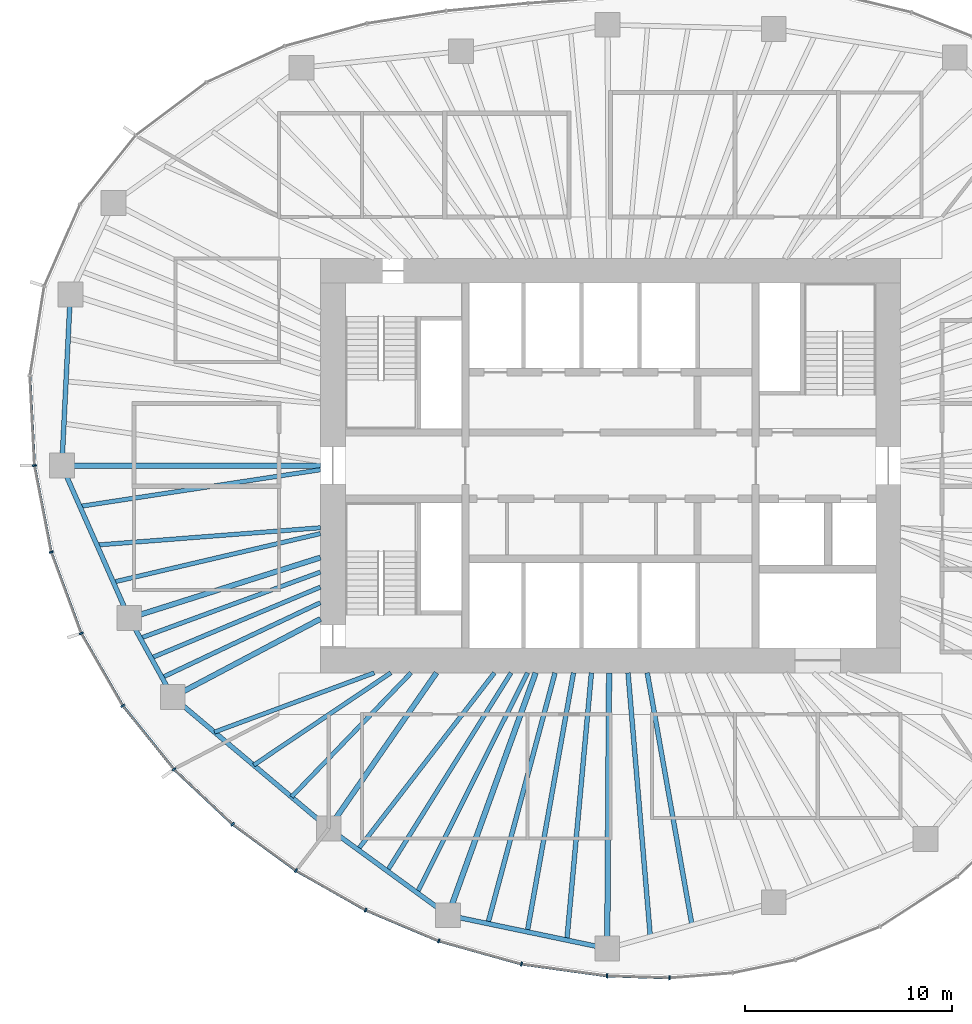
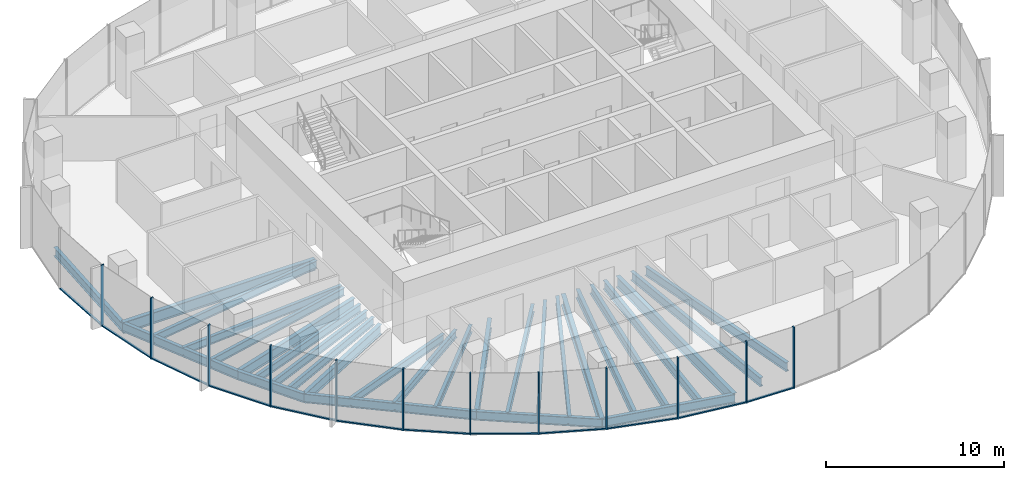
# One storey, part 2 of 12: 29 beams, 24 members, 7 elements without a shape of their own.
"""IFC4 building model written with IfcOpenShell, lengths in metres."""

from ifc_helpers import new_model, si_unit, direction, frame, origin, origin_2d, place, context, subcontext, project, spatial, rectangle, i_section, extrude, material, material_profile, profile_set, type_object, element, aggregate, save


model = new_model("IFC4")

# Units and contexts
model_context = context("Model", 3, precision=1e-05, world=origin(), true_north=direction((0.0, 1.0)))
body_context = subcontext(model_context, "Body", "Model", "MODEL_VIEW")
ifc_project = project(units=[si_unit("LENGTHUNIT", "METRE"), si_unit("AREAUNIT", "SQUARE_METRE"), si_unit("VOLUMEUNIT", "CUBIC_METRE"), si_unit("PLANEANGLEUNIT", "RADIAN"), si_unit("MASSUNIT", "GRAM", prefix="KILO")], contexts=[model_context])

# Site, building, storey
site_placement = place(None, origin())
site = spatial("IfcSite", under=ifc_project, at=site_placement, CompositionType="ELEMENT")
building_placement = place(site_placement, origin())
building = spatial("IfcBuilding", under=site, at=building_placement, Name="Ghaith Harvest Tower", CompositionType="ELEMENT")
storey_placement = place(building_placement, frame((0.0, 0.0, 236.800048828125)))
storey = spatial("IfcBuildingStorey", under=building, at=storey_placement, Name="L52", CompositionType="ELEMENT", Elevation=236.800048828125)

# Curtain wall, members
ifc_material_1 = material(Name="Black anodised aluminium and fritted glass", Category="aluminium")
curtain_wall_type = type_object("IfcCurtainWallType", Name="CW-H CURTAIN WALL", PredefinedType="NOTDEFINED", material=ifc_material_1)
curtain_wall_1_placement = place(storey_placement, origin())
curtain_wall_1 = element("IfcCurtainWall", 1, at=curtain_wall_1_placement, inside=storey, type_object=curtain_wall_type, Name="Curtain wall CW-H bay 11 L52", PredefinedType="NOTDEFINED")
ifc_material_2 = material(Name="Aluminium, black anodised", Category="aluminium")
ifc_material_profile_1 = material_profile(ifc_material_2, rectangle(XDim=0.080078125, YDim=0.199951171875, at=origin_2d()), Name="CW-H MULLION 80x200")
ifc_profile_set_1 = profile_set([ifc_material_profile_1], Name="Aluminium, black anodised")
member_type_1 = type_object("IfcMemberType", Name="CW-H MULLION 80x200", PredefinedType="MULLION", material=ifc_profile_set_1)
member_1_placement = place(storey_placement, frame((-27.794921875, 0.0, 0.0), z_axis=(0.0, 0.0, 1.0), x_axis=(0.12024996575, -0.992743645528, 0.0)))
member_1 = element("IfcMember", 2, at=member_1_placement, type_object=member_type_1, Name="CW-H mullion 1 bay 11 L52", PredefinedType="MULLION", context=body_context, shape_type="SweptSolid", body=[
    extrude(rectangle(XDim=0.080078125, YDim=0.199951171875, at=origin_2d()), origin(), (0.0, 0.0, 1.0), 4.199951171875),
])
member_2_placement = place(storey_placement, frame((-26.9853515625, -4.173828125, 0.0), z_axis=(0.0, 0.0, 1.0), x_axis=(0.268568830903, -0.963260495955, 0.0)))
member_2 = element("IfcMember", 3, at=member_2_placement, type_object=member_type_1, Name="CW-H mullion 2 bay 11 L52", PredefinedType="MULLION", context=body_context, shape_type="SweptSolid", body=[
    extrude(rectangle(XDim=0.080078125, YDim=0.199951171875, at=origin_2d()), origin(), (0.0, 0.0, 1.0), 4.199951171875),
])

curtain_wall_2_placement = place(storey_placement, origin())
curtain_wall_2 = element("IfcCurtainWall", 4, at=curtain_wall_2_placement, inside=storey, type_object=curtain_wall_type, Name="Curtain wall CW-H bay 12 L52", PredefinedType="NOTDEFINED")
member_3_placement = place(storey_placement, frame((-25.538330078125, -8.093505859375, 0.0), z_axis=(0.0, 0.0, 1.0), x_axis=(0.422308650185, -0.906452096903, 0.0)))
member_3 = element("IfcMember", 5, at=member_3_placement, type_object=member_type_1, Name="CW-H mullion 1 bay 12 L52", PredefinedType="MULLION", context=body_context, shape_type="SweptSolid", body=[
    extrude(rectangle(XDim=0.080078125, YDim=0.199951171875, at=origin_2d()), origin(), (0.0, 0.0, 1.0), 4.199951171875),
])
member_4_placement = place(storey_placement, frame((-23.533203125, -11.58349609375, 0.0), z_axis=(0.0, 0.0, 1.0), x_axis=(0.563616546013, -0.826036554312, 0.0)))
member_4 = element("IfcMember", 6, at=member_4_placement, type_object=member_type_1, Name="CW-H mullion 2 bay 12 L52", PredefinedType="MULLION", context=body_context, shape_type="SweptSolid", body=[
    extrude(rectangle(XDim=0.080078125, YDim=0.199951171875, at=origin_2d()), origin(), (0.0, 0.0, 1.0), 4.199951171875),
])

curtain_wall_3_placement = place(storey_placement, origin())
curtain_wall_3 = element("IfcCurtainWall", 7, at=curtain_wall_3_placement, inside=storey, type_object=curtain_wall_type, Name="Curtain wall CW-H bay 13 L52", PredefinedType="NOTDEFINED")
member_5_placement = place(storey_placement, frame((-21.0615234375, -14.65478515625, 0.0), z_axis=(0.0, 0.0, 1.0), x_axis=(0.679181589754, -0.733970277422, 0.0)))
member_5 = element("IfcMember", 8, at=member_5_placement, type_object=member_type_1, Name="CW-H mullion 1 bay 13 L52", PredefinedType="MULLION", context=body_context, shape_type="SweptSolid", body=[
    extrude(rectangle(XDim=0.080078125, YDim=0.199951171875, at=origin_2d()), origin(), (0.0, 0.0, 1.0), 4.199951171875),
])
member_6_placement = place(storey_placement, frame((-18.238037109375, -17.30615234375, 0.0), z_axis=(0.0, 0.0, 1.0), x_axis=(0.769216709506, -0.638987991919, 0.0)))
member_6 = element("IfcMember", 9, at=member_6_placement, type_object=member_type_1, Name="CW-H mullion 2 bay 13 L52", PredefinedType="MULLION", context=body_context, shape_type="SweptSolid", body=[
    extrude(rectangle(XDim=0.080078125, YDim=0.199951171875, at=origin_2d()), origin(), (0.0, 0.0, 1.0), 4.199951171875),
])

curtain_wall_4_placement = place(storey_placement, origin())
curtain_wall_4 = element("IfcCurtainWall", 10, at=curtain_wall_4_placement, inside=storey, type_object=curtain_wall_type, Name="Curtain wall CW-H bay 14 L52", PredefinedType="NOTDEFINED")
member_7_placement = place(storey_placement, frame((-15.177490234375, -19.542724609375, 0.0), z_axis=(0.0, 0.0, 1.0), x_axis=(0.840233591157, -0.5422245958, 0.0)))
member_7 = element("IfcMember", 11, at=member_7_placement, type_object=member_type_1, Name="CW-H mullion 1 bay 14 L52", PredefinedType="MULLION", context=body_context, shape_type="SweptSolid", body=[
    extrude(rectangle(XDim=0.080078125, YDim=0.199951171875, at=origin_2d()), origin(), (0.0, 0.0, 1.0), 4.199951171875),
])
member_8_placement = place(storey_placement, frame((-11.815185546875, -21.45068359375, 0.0), z_axis=(0.0, 0.0, 1.0), x_axis=(0.896852966189, -0.442328788389, 0.0)))
member_8 = element("IfcMember", 12, at=member_8_placement, type_object=member_type_1, Name="CW-H mullion 2 bay 14 L52", PredefinedType="MULLION", context=body_context, shape_type="SweptSolid", body=[
    extrude(rectangle(XDim=0.080078125, YDim=0.199951171875, at=origin_2d()), origin(), (0.0, 0.0, 1.0), 4.199951171875),
])

curtain_wall_5_placement = place(storey_placement, origin())
curtain_wall_5 = element("IfcCurtainWall", 13, at=curtain_wall_5_placement, inside=storey, type_object=curtain_wall_type, Name="Curtain wall CW-H bay 15 L52", PredefinedType="NOTDEFINED")
member_9_placement = place(storey_placement, frame((-8.285888671875, -22.941650390625, 0.0), z_axis=(0.0, 0.0, 1.0), x_axis=(0.944906041636, -0.327341675439, 0.0)))
member_9 = element("IfcMember", 14, at=member_9_placement, type_object=member_type_1, Name="CW-H mullion 1 bay 15 L52", PredefinedType="MULLION", context=body_context, shape_type="SweptSolid", body=[
    extrude(rectangle(XDim=0.080078125, YDim=0.199951171875, at=origin_2d()), origin(), (0.0, 0.0, 1.0), 4.199951171875),
])
member_10_placement = place(storey_placement, frame((-4.2958984375, -24.0556640625, 0.0), z_axis=(0.0, 0.0, 1.0), x_axis=(0.979161388311, -0.203083666601, 0.0)))
member_10 = element("IfcMember", 15, at=member_10_placement, type_object=member_type_1, Name="CW-H mullion 2 bay 15 L52", PredefinedType="MULLION", context=body_context, shape_type="SweptSolid", body=[
    extrude(rectangle(XDim=0.080078125, YDim=0.199951171875, at=origin_2d()), origin(), (0.0, 0.0, 1.0), 4.199951171875),
])

curtain_wall_6_placement = place(storey_placement, origin())
curtain_wall_6 = element("IfcCurtainWall", 16, at=curtain_wall_6_placement, inside=storey, type_object=curtain_wall_type, Name="Curtain wall CW-H bay 16 L52", PredefinedType="NOTDEFINED")
member_11_placement = place(storey_placement, frame((-0.16845703125, -24.625244140625, 0.0), z_axis=(0.0, 0.0, 1.0), x_axis=(0.99568459113, -0.092801912617, 0.0)))
member_11 = element("IfcMember", 17, at=member_11_placement, type_object=member_type_1, Name="CW-H mullion 1 bay 16 L52", PredefinedType="MULLION", context=body_context, shape_type="SweptSolid", body=[
    extrude(rectangle(XDim=0.080078125, YDim=0.199951171875, at=origin_2d()), origin(), (0.0, 0.0, 1.0), 4.199951171875),
])
member_12_placement = place(storey_placement, frame((2.84765625, -24.721435546875, 0.0), z_axis=(0.0, 0.0, 1.0), x_axis=(0.999724413906, 0.02347543907, 0.0)))
member_12 = element("IfcMember", 18, at=member_12_placement, type_object=member_type_1, Name="CW-H mullion 2 bay 16 L52", PredefinedType="MULLION", context=body_context, shape_type="SweptSolid", body=[
    extrude(rectangle(XDim=0.080078125, YDim=0.199951171875, at=origin_2d()), origin(), (0.0, 0.0, 1.0), 4.199951171875),
])

# Curtain wall, member
curtain_wall_7_placement = place(storey_placement, origin())
curtain_wall_7 = element("IfcCurtainWall", 19, at=curtain_wall_7_placement, inside=storey, type_object=curtain_wall_type, Name="Curtain wall CW-H bay 10 L52", PredefinedType="NOTDEFINED")
ifc_material_3 = material(Name="Aluminium, black anodised", Category="aluminium")
ifc_material_profile_2 = material_profile(ifc_material_3, rectangle(XDim=0.1298828125, YDim=0.080078125, at=origin_2d()), Name="CW-H TRANSOM 130x80")
ifc_profile_set_2 = profile_set([ifc_material_profile_2], Name="Aluminium, black anodised")
member_type_2 = type_object("IfcMemberType", Name="CW-H TRANSOM 130x80", PredefinedType="USERDEFINED", material=ifc_profile_set_2)
member_13_placement = place(storey_placement, frame((-28.013671875, 4.293212890625, 0.0400390625), z_axis=(0.05084969311, -0.998706317548, 0.0), x_axis=(0.998706317548, 0.05084969311, 0.0)))
member_13 = element("IfcMember", 20, at=member_13_placement, type_object=member_type_2, Name="CW-H transom 2 bay 10 L52", ObjectType="TRANSOM", PredefinedType="USERDEFINED", context=body_context, shape_type="SweptSolid", body=[
    extrude(rectangle(XDim=0.1298828125, YDim=0.080078125, at=origin_2d()), origin(), (0.0, 0.0, 1.0), 4.2587890625),
])
aggregate(curtain_wall_7, [member_13])

# Member
member_14_placement = place(storey_placement, frame((-27.787353515625, -0.039306640625, 0.0400390625), z_axis=(0.190440428338, -0.981698753821, 0.0), x_axis=(0.981698753821, 0.190440428338, 0.0)))
member_14 = element("IfcMember", 21, at=member_14_placement, type_object=member_type_2, Name="CW-H transom 1 bay 11 L52", ObjectType="TRANSOM", PredefinedType="USERDEFINED", context=body_context, shape_type="SweptSolid", body=[
    extrude(rectangle(XDim=0.1298828125, YDim=0.080078125, at=origin_2d()), origin(), (0.0, 0.0, 1.0), 4.171630859375),
])

member_15_placement = place(storey_placement, frame((-26.971435546875, -4.21142578125, 0.0400390625), z_axis=(0.346287782987, -0.93812833416, 0.0), x_axis=(0.93812833416, 0.346287782987, 0.0)))
member_15 = element("IfcMember", 22, at=member_15_placement, type_object=member_type_2, Name="CW-H transom 2 bay 11 L52", ObjectType="TRANSOM", PredefinedType="USERDEFINED", context=body_context, shape_type="SweptSolid", body=[
    extrude(rectangle(XDim=0.1298828125, YDim=0.080078125, at=origin_2d()), origin(), (0.0, 0.0, 1.0), 4.098388671875),
])

aggregate(curtain_wall_1, [member_1, member_14, member_2, member_15])

member_16_placement = place(storey_placement, frame((-25.5185546875, -8.128173828125, 0.0400390625), z_axis=(0.498176929488, -0.86707539864, 0.0), x_axis=(0.86707539864, 0.498176929488, 0.0)))
member_16 = element("IfcMember", 23, at=member_16_placement, type_object=member_type_2, Name="CW-H transom 1 bay 12 L52", ObjectType="TRANSOM", PredefinedType="USERDEFINED", context=body_context, shape_type="SweptSolid", body=[
    extrude(rectangle(XDim=0.1298828125, YDim=0.080078125, at=origin_2d()), origin(), (0.0, 0.0, 1.0), 3.945068359375),
])

member_17_placement = place(storey_placement, frame((-23.508056640625, -11.61474609375, 0.0400390625), z_axis=(0.626958878139, -0.779052350694, 0.0), x_axis=(0.779052350694, 0.626958878139, 0.0)))
member_17 = element("IfcMember", 24, at=member_17_placement, type_object=member_type_2, Name="CW-H transom 2 bay 12 L52", ObjectType="TRANSOM", PredefinedType="USERDEFINED", context=body_context, shape_type="SweptSolid", body=[
    extrude(rectangle(XDim=0.1298828125, YDim=0.080078125, at=origin_2d()), origin(), (0.0, 0.0, 1.0), 3.862060546875),
])

aggregate(curtain_wall_2, [member_3, member_16, member_4, member_17])

member_18_placement = place(storey_placement, frame((-21.032470703125, -14.68212890625, 0.0400390625), z_axis=(0.729025183709, -0.684486874613, 0.0), x_axis=(0.684486874613, 0.729025183709, 0.0)))
member_18 = element("IfcMember", 25, at=member_18_placement, type_object=member_type_2, Name="CW-H transom 1 bay 13 L52", ObjectType="TRANSOM", PredefinedType="USERDEFINED", context=body_context, shape_type="SweptSolid", body=[
    extrude(rectangle(XDim=0.1298828125, YDim=0.080078125, at=origin_2d()), origin(), (0.0, 0.0, 1.0), 3.793212890625),
])

member_19_placement = place(storey_placement, frame((-18.20556640625, -17.32958984375, 0.0400390625), z_axis=(0.807368217185, -0.590047931849, 0.0), x_axis=(0.590047931849, 0.807368217185, 0.0)))
member_19 = element("IfcMember", 26, at=member_19_placement, type_object=member_type_2, Name="CW-H transom 2 bay 13 L52", ObjectType="TRANSOM", PredefinedType="USERDEFINED", context=body_context, shape_type="SweptSolid", body=[
    extrude(rectangle(XDim=0.1298828125, YDim=0.080078125, at=origin_2d()), origin(), (0.0, 0.0, 1.0), 3.710693359375),
])

aggregate(curtain_wall_3, [member_5, member_18, member_6, member_19])

member_20_placement = place(storey_placement, frame((-15.142822265625, -19.5625, 0.0400390625), z_axis=(0.869735291487, -0.493518513068, 0.0), x_axis=(0.493518513068, 0.869735291487, 0.0)))
member_20 = element("IfcMember", 27, at=member_20_placement, type_object=member_type_2, Name="CW-H transom 1 bay 14 L52", ObjectType="TRANSOM", PredefinedType="USERDEFINED", context=body_context, shape_type="SweptSolid", body=[
    extrude(rectangle(XDim=0.1298828125, YDim=0.080078125, at=origin_2d()), origin(), (0.0, 0.0, 1.0), 3.785888671875),
])

member_21_placement = place(storey_placement, frame((-11.7783203125, -21.46630859375, 0.0400390625), z_axis=(0.921182691948, -0.38913037411, 0.0), x_axis=(0.38913037411, 0.921182691948, 0.0)))
member_21 = element("IfcMember", 28, at=member_21_placement, type_object=member_type_2, Name="CW-H transom 2 bay 14 L52", ObjectType="TRANSOM", PredefinedType="USERDEFINED", context=body_context, shape_type="SweptSolid", body=[
    extrude(rectangle(XDim=0.1298828125, YDim=0.080078125, at=origin_2d()), origin(), (0.0, 0.0, 1.0), 3.751220703125),
])

aggregate(curtain_wall_4, [member_7, member_20, member_8, member_21])

member_22_placement = place(storey_placement, frame((-8.24755859375, -22.952392578125, 0.0400390625), z_axis=(0.963164092269, -0.268914356932, 0.0), x_axis=(0.268914356932, 0.963164092269, 0.0)))
member_22 = element("IfcMember", 29, at=member_22_placement, type_object=member_type_2, Name="CW-H transom 1 bay 15 L52", ObjectType="TRANSOM", PredefinedType="USERDEFINED", context=body_context, shape_type="SweptSolid", body=[
    extrude(rectangle(XDim=0.1298828125, YDim=0.080078125, at=origin_2d()), origin(), (0.0, 0.0, 1.0), 4.062744140625),
])

member_23_placement = place(storey_placement, frame((-4.25634765625, -24.06103515625, 0.0400390625), z_axis=(0.990605228149, -0.136752630555, 0.0), x_axis=(0.136752630555, 0.990605228149, 0.0)))
member_23 = element("IfcMember", 30, at=member_23_placement, type_object=member_type_2, Name="CW-H transom 2 bay 15 L52", ObjectType="TRANSOM", PredefinedType="USERDEFINED", context=body_context, shape_type="SweptSolid", body=[
    extrude(rectangle(XDim=0.1298828125, YDim=0.080078125, at=origin_2d()), origin(), (0.0, 0.0, 1.0), 4.08642578125),
])

aggregate(curtain_wall_5, [member_9, member_22, member_10, member_23])

member_24_placement = place(storey_placement, frame((-0.128662109375, -24.62646484375, 0.0400390625), z_axis=(0.999490770233, -0.031909249731, 0.0), x_axis=(0.031909249731, 0.999490770233, 0.0)))
member_24 = element("IfcMember", 31, at=member_24_placement, type_object=member_type_2, Name="CW-H transom 1 bay 16 L52", ObjectType="TRANSOM", PredefinedType="USERDEFINED", context=body_context, shape_type="SweptSolid", body=[
    extrude(rectangle(XDim=0.1298828125, YDim=0.080078125, at=origin_2d()), origin(), (0.0, 0.0, 1.0), 2.93798828125),
])

aggregate(curtain_wall_6, [member_11, member_24, member_12])

# Beams
ifc_material_4 = material(Name="Steel ASTM A992 Grade 50", Category="steel")
ifc_material_profile_3 = material_profile(ifc_material_4, i_section(OverallWidth=0.22900390625, OverallDepth=0.612060546875, WebThickness=0.011962890625, FlangeThickness=0.01953125, at=origin_2d()), Name="W610X125")
ifc_profile_set_3 = profile_set([ifc_material_profile_3], Name="Steel ASTM A992 Grade 50")
beam_type_1 = type_object("IfcBeamType", Name="E610-125 W610X125", PredefinedType="SPANDREL", material=ifc_profile_set_3)
beam_1_placement = place(storey_placement, frame((-26.06689453125, 8.260986328125, -0.47607421875), z_axis=(-0.049353148492, -0.998781390863, 0.0), x_axis=(0.998781390863, -0.049353148492, 0.0)))
element("IfcBeam", 32, at=beam_1_placement, inside=storey, type_object=beam_type_1, Name="Edge beam E10 L52", PredefinedType="SPANDREL", context=body_context, shape_type="SweptSolid", body=[
    extrude(i_section(OverallWidth=0.22900390625, OverallDepth=0.612060546875, WebThickness=0.011962890625, FlangeThickness=0.01953125, at=origin_2d()), origin(), (0.0, 0.0, 1.0), 8.27099609375),
])
beam_2_placement = place(storey_placement, frame((-26.47509765625, 0.0, -0.47607421875), z_axis=(0.404042817399, -0.914740073304, 0.0), x_axis=(0.914740073304, 0.404042817399, 0.0)))
element("IfcBeam", 33, at=beam_2_placement, inside=storey, type_object=beam_type_1, Name="Edge beam E11 L52", PredefinedType="SPANDREL", context=body_context, shape_type="SweptSolid", body=[
    extrude(i_section(OverallWidth=0.22900390625, OverallDepth=0.612060546875, WebThickness=0.011962890625, FlangeThickness=0.01953125, at=origin_2d()), origin(), (0.0, 0.0, 1.0), 8.046142578125),
])
beam_3_placement = place(storey_placement, frame((-23.22412109375, -7.360107421875, -0.47607421875), z_axis=(0.482955575345, -0.875644855089, 0.0), x_axis=(0.875644855089, 0.482955575345, 0.0)))
element("IfcBeam", 34, at=beam_3_placement, inside=storey, type_object=beam_type_1, Name="Edge beam E12 L52", PredefinedType="SPANDREL", context=body_context, shape_type="SweptSolid", body=[
    extrude(i_section(OverallWidth=0.22900390625, OverallDepth=0.612060546875, WebThickness=0.011962890625, FlangeThickness=0.01953125, at=origin_2d()), origin(), (0.0, 0.0, 1.0), 4.346435546875),
])
beam_4_placement = place(storey_placement, frame((-21.125, -11.166015625, -0.47607421875), z_axis=(0.765021818761, -0.64400436087, 0.0), x_axis=(0.64400436087, 0.765021818761, 0.0)))
element("IfcBeam", 35, at=beam_4_placement, inside=storey, type_object=beam_type_1, Name="Edge beam E13 L52", PredefinedType="SPANDREL", context=body_context, shape_type="SweptSolid", body=[
    extrude(i_section(OverallWidth=0.22900390625, OverallDepth=0.612060546875, WebThickness=0.011962890625, FlangeThickness=0.01953125, at=origin_2d()), origin(), (0.0, 0.0, 1.0), 9.8427734375),
])
beam_5_placement = place(storey_placement, frame((-13.594970703125, -17.5048828125, -0.47607421875), z_axis=(0.808194782503, -0.588915268553, 0.0), x_axis=(0.588915268553, 0.808194782503, 0.0)))
element("IfcBeam", 36, at=beam_5_placement, inside=storey, type_object=beam_type_1, Name="Edge beam E14 L52", PredefinedType="SPANDREL", context=body_context, shape_type="SweptSolid", body=[
    extrude(i_section(OverallWidth=0.22900390625, OverallDepth=0.612060546875, WebThickness=0.011962890625, FlangeThickness=0.01953125, at=origin_2d()), origin(), (0.0, 0.0, 1.0), 7.123291015625),
])
beam_6_placement = place(storey_placement, frame((-7.837890625, -21.699951171875, -0.47607421875), z_axis=(0.978847910797, -0.20458926543, 0.0), x_axis=(0.20458926543, 0.978847910797, 0.0)))
element("IfcBeam", 37, at=beam_6_placement, inside=storey, type_object=beam_type_1, Name="Edge beam E15 L52", PredefinedType="SPANDREL", context=body_context, shape_type="SweptSolid", body=[
    extrude(i_section(OverallWidth=0.22900390625, OverallDepth=0.612060546875, WebThickness=0.011962890625, FlangeThickness=0.01953125, at=origin_2d()), origin(), (0.0, 0.0, 1.0), 7.844970703125),
])
ifc_material_5 = material(Name="Steel ASTM A992 Grade 50", Category="steel")
ifc_material_profile_4 = material_profile(ifc_material_5, i_section(OverallWidth=0.256103515625, OverallDepth=0.693115234375, WebThickness=0.014404296875, FlangeThickness=0.023681640625, at=origin_2d()), Name="W690X170")
ifc_profile_set_4 = profile_set([ifc_material_profile_4], Name="Steel ASTM A992 Grade 50")
beam_type_2 = type_object("IfcBeamType", Name="G690-170 W690X170", PredefinedType="BEAM", material=ifc_profile_set_4)
beam_7_placement = place(storey_placement, frame((-14.0, -4.43701171875, -0.5166015625), z_axis=(-0.953279028151, -0.302091202267, 0.0), x_axis=(0.302091202267, -0.953279028151, 0.0)))
element("IfcBeam", 38, at=beam_7_placement, inside=storey, type_object=beam_type_2, Name="Radial girder G12 L52", PredefinedType="BEAM", context=body_context, shape_type="SweptSolid", body=[
    extrude(i_section(OverallWidth=0.256103515625, OverallDepth=0.693115234375, WebThickness=0.014404296875, FlangeThickness=0.023681640625, at=origin_2d()), origin(), (0.0, 0.0, 1.0), 9.67626953125),
])
beam_8_placement = place(storey_placement, frame((-14.0, -7.39990234375, -0.5166015625), z_axis=(-0.88409279474, -0.46731138472, 0.0), x_axis=(0.46731138472, -0.88409279474, 0.0)))
element("IfcBeam", 39, at=beam_8_placement, inside=storey, type_object=beam_type_2, Name="Radial girder G13 L52", PredefinedType="BEAM", context=body_context, shape_type="SweptSolid", body=[
    extrude(i_section(OverallWidth=0.256103515625, OverallDepth=0.693115234375, WebThickness=0.014404296875, FlangeThickness=0.023681640625, at=origin_2d()), origin(), (0.0, 0.0, 1.0), 8.05908203125),
])
beam_9_placement = place(storey_placement, frame((-8.39990234375, -10.0, -0.5166015625), z_axis=(-0.569164078909, -0.822223966617, 0.0), x_axis=(0.822223966617, -0.569164078909, 0.0)))
element("IfcBeam", 40, at=beam_9_placement, inside=storey, type_object=beam_type_2, Name="Radial girder G14 L52", PredefinedType="BEAM", context=body_context, shape_type="SweptSolid", body=[
    extrude(i_section(OverallWidth=0.256103515625, OverallDepth=0.693115234375, WebThickness=0.014404296875, FlangeThickness=0.023681640625, at=origin_2d()), origin(), (0.0, 0.0, 1.0), 9.12744140625),
])
ifc_material_6 = material(Name="Steel ASTM A992 Grade 50", Category="steel")
ifc_material_profile_5 = material_profile(ifc_material_6, i_section(OverallWidth=0.26806640625, OverallDepth=0.77001953125, WebThickness=0.015625, FlangeThickness=0.025390625, at=origin_2d()), Name="W760X196")
ifc_profile_set_5 = profile_set([ifc_material_profile_5], Name="Steel ASTM A992 Grade 50")
beam_type_3 = type_object("IfcBeamType", Name="G760-196 W760X196", PredefinedType="BEAM", material=ifc_profile_set_5)
beam_10_placement = place(storey_placement, frame((-14.0, 0.0, -0.554931640625), z_axis=(-1.0, 0.0, 0.0), x_axis=(0.0, -1.0, 0.0)))
element("IfcBeam", 41, at=beam_10_placement, inside=storey, type_object=beam_type_3, Name="Radial girder G11 L52", PredefinedType="BEAM", context=body_context, shape_type="SweptSolid", body=[
    extrude(i_section(OverallWidth=0.26806640625, OverallDepth=0.77001953125, WebThickness=0.015625, FlangeThickness=0.025390625, at=origin_2d()), origin(), (0.0, 0.0, 1.0), 12.47509765625),
])
beam_11_placement = place(storey_placement, frame((-3.61181640625, -10.0, -0.554931640625), z_axis=(-0.339722108335, -0.940525857756, 0.0), x_axis=(0.940525857756, -0.339722108335, 0.0)))
element("IfcBeam", 42, at=beam_11_placement, inside=storey, type_object=beam_type_3, Name="Radial girder G15 L52", PredefinedType="BEAM", context=body_context, shape_type="SweptSolid", body=[
    extrude(i_section(OverallWidth=0.26806640625, OverallDepth=0.77001953125, WebThickness=0.015625, FlangeThickness=0.025390625, at=origin_2d()), origin(), (0.0, 0.0, 1.0), 12.439697265625),
])
beam_12_placement = place(storey_placement, frame((-0.068359375, -10.0, -0.554931640625), z_axis=(-0.00680755644, -0.999976828319, 0.0), x_axis=(0.999976828319, -0.00680755644, 0.0)))
element("IfcBeam", 43, at=beam_12_placement, inside=storey, type_object=beam_type_3, Name="Radial girder G16 L52", PredefinedType="BEAM", context=body_context, shape_type="SweptSolid", body=[
    extrude(i_section(OverallWidth=0.26806640625, OverallDepth=0.77001953125, WebThickness=0.015625, FlangeThickness=0.025390625, at=origin_2d()), origin(), (0.0, 0.0, 1.0), 13.30517578125),
])
ifc_material_7 = material(Name="Steel ASTM A992 Grade 50", Category="steel")
ifc_material_profile_6 = material_profile(ifc_material_7, i_section(OverallWidth=0.2109375, OverallDepth=0.5390625, WebThickness=0.01171875, FlangeThickness=0.018798828125, at=origin_2d()), Name="W530X109")
ifc_profile_set_6 = profile_set([ifc_material_profile_6], Name="Steel ASTM A992 Grade 50")
beam_type_4 = type_object("IfcBeamType", Name="J530-109 W530X109", PredefinedType="JOIST", material=ifc_profile_set_6)
beam_13_placement = place(storey_placement, frame((-14.0, -0.199951171875, -0.439453125), z_axis=(-0.988587077715, -0.150650555178, 0.0), x_axis=(0.150650555178, -0.988587077715, 0.0)))
element("IfcBeam", 44, at=beam_13_placement, inside=storey, type_object=beam_type_4, Name="Joist J11.1 L52", PredefinedType="JOIST", context=body_context, shape_type="SweptSolid", body=[
    extrude(i_section(OverallWidth=0.2109375, OverallDepth=0.5390625, WebThickness=0.01171875, FlangeThickness=0.018798828125, at=origin_2d()), origin(), (0.0, 0.0, 1.0), 11.739501953125),
])
beam_14_placement = place(storey_placement, frame((-14.0, -3.0, -0.439453125), z_axis=(-0.997028799301, -0.077029691443, 0.0), x_axis=(0.077029691443, -0.997028799301, 0.0)))
element("IfcBeam", 45, at=beam_14_placement, inside=storey, type_object=beam_type_4, Name="Joist J11.2 L52", PredefinedType="JOIST", context=body_context, shape_type="SweptSolid", body=[
    extrude(i_section(OverallWidth=0.2109375, OverallDepth=0.5390625, WebThickness=0.01171875, FlangeThickness=0.018798828125, at=origin_2d()), origin(), (0.0, 0.0, 1.0), 10.814208984375),
])
beam_15_placement = place(storey_placement, frame((-14.0, -3.280517578125, -0.439453125), z_axis=(-0.97362176086, -0.22816806696, 0.0), x_axis=(0.22816806696, -0.97362176086, 0.0)))
element("IfcBeam", 46, at=beam_15_placement, inside=storey, type_object=beam_type_4, Name="Joist J11.3 L52", PredefinedType="JOIST", context=body_context, shape_type="SweptSolid", body=[
    extrude(i_section(OverallWidth=0.2109375, OverallDepth=0.5390625, WebThickness=0.01171875, FlangeThickness=0.018798828125, at=origin_2d()), origin(), (0.0, 0.0, 1.0), 10.262451171875),
])
beam_16_placement = place(storey_placement, frame((-5.60009765625, -10.0, -0.439453125), z_axis=(-0.611412687895, -0.791311901264, 0.0), x_axis=(0.791311901264, -0.611412687895, 0.0)))
element("IfcBeam", 47, at=beam_16_placement, inside=storey, type_object=beam_type_4, Name="Joist J14.1 L52", PredefinedType="JOIST", context=body_context, shape_type="SweptSolid", body=[
    extrude(i_section(OverallWidth=0.2109375, OverallDepth=0.5390625, WebThickness=0.01171875, FlangeThickness=0.018798828125, at=origin_2d()), origin(), (0.0, 0.0, 1.0), 10.778076171875),
])
beam_17_placement = place(storey_placement, frame((-4.800048828125, -10.0, -0.439453125), z_axis=(-0.529921073682, -0.848046965484, 0.0), x_axis=(0.848046965484, -0.529921073682, 0.0)))
element("IfcBeam", 48, at=beam_17_placement, inside=storey, type_object=beam_type_4, Name="Joist J14.2 L52", PredefinedType="JOIST", context=body_context, shape_type="SweptSolid", body=[
    extrude(i_section(OverallWidth=0.2109375, OverallDepth=0.5390625, WebThickness=0.01171875, FlangeThickness=0.018798828125, at=origin_2d()), origin(), (0.0, 0.0, 1.0), 11.273681640625),
])
beam_18_placement = place(storey_placement, frame((-4.0, -10.0, -0.439453125), z_axis=(-0.448791718068, -0.893636387908, 0.0), x_axis=(0.893636387908, -0.448791718068, 0.0)))
element("IfcBeam", 49, at=beam_18_placement, inside=storey, type_object=beam_type_4, Name="Joist J14.3 L52", PredefinedType="JOIST", context=body_context, shape_type="SweptSolid", body=[
    extrude(i_section(OverallWidth=0.2109375, OverallDepth=0.5390625, WebThickness=0.01171875, FlangeThickness=0.018798828125, at=origin_2d()), origin(), (0.0, 0.0, 1.0), 11.8759765625),
])
ifc_material_8 = material(Name="Steel ASTM A992 Grade 50", Category="steel")
ifc_material_profile_7 = material_profile(ifc_material_8, i_section(OverallWidth=0.208984375, OverallDepth=0.532958984375, WebThickness=0.01025390625, FlangeThickness=0.015625, at=origin_2d()), Name="W530X92")
ifc_profile_set_7 = profile_set([ifc_material_profile_7], Name="Steel ASTM A992 Grade 50")
beam_type_5 = type_object("IfcBeamType", Name="J530-92 W530X92", PredefinedType="JOIST", material=ifc_profile_set_7)
beam_19_placement = place(storey_placement, frame((-14.0, -5.137939453125, -0.4365234375), z_axis=(-0.93877284801, -0.34453670318, 0.0), x_axis=(0.34453670318, -0.93877284801, 0.0)))
element("IfcBeam", 50, at=beam_19_placement, inside=storey, type_object=beam_type_5, Name="Joist J12.1 L52", PredefinedType="JOIST", context=body_context, shape_type="SweptSolid", body=[
    extrude(i_section(OverallWidth=0.208984375, OverallDepth=0.532958984375, WebThickness=0.01025390625, FlangeThickness=0.015625, at=origin_2d()), origin(), (0.0, 0.0, 1.0), 9.25732421875),
])
beam_20_placement = place(storey_placement, frame((-14.0, -5.862548828125, -0.4365234375), z_axis=(-0.922387515293, -0.386265804377, 0.0), x_axis=(0.386265804377, -0.922387515293, 0.0)))
element("IfcBeam", 51, at=beam_20_placement, inside=storey, type_object=beam_type_5, Name="Joist J12.2 L52", PredefinedType="JOIST", context=body_context, shape_type="SweptSolid", body=[
    extrude(i_section(OverallWidth=0.208984375, OverallDepth=0.532958984375, WebThickness=0.01025390625, FlangeThickness=0.015625, at=origin_2d()), origin(), (0.0, 0.0, 1.0), 8.851318359375),
])
beam_21_placement = place(storey_placement, frame((-14.0, -6.614990234375, -0.4365234375), z_axis=(-0.90415786724, -0.427198491462, 0.0), x_axis=(0.427198491462, -0.90415786724, 0.0)))
element("IfcBeam", 52, at=beam_21_placement, inside=storey, type_object=beam_type_5, Name="Joist J12.3 L52", PredefinedType="JOIST", context=body_context, shape_type="SweptSolid", body=[
    extrude(i_section(OverallWidth=0.208984375, OverallDepth=0.532958984375, WebThickness=0.01025390625, FlangeThickness=0.015625, at=origin_2d()), origin(), (0.0, 0.0, 1.0), 8.45361328125),
])
beam_22_placement = place(storey_placement, frame((-11.39990234375, -10.0, -0.4365234375), z_axis=(-0.937594001899, -0.34773191916, 0.0), x_axis=(0.34773191916, -0.937594001899, 0.0)))
element("IfcBeam", 53, at=beam_22_placement, inside=storey, type_object=beam_type_5, Name="Joist J13.1 L52", PredefinedType="JOIST", context=body_context, shape_type="SweptSolid", body=[
    extrude(i_section(OverallWidth=0.208984375, OverallDepth=0.532958984375, WebThickness=0.01025390625, FlangeThickness=0.015625, at=origin_2d()), origin(), (0.0, 0.0, 1.0), 8.225830078125),
])
beam_23_placement = place(storey_placement, frame((-10.60009765625, -10.0, -0.4365234375), z_axis=(-0.829594017544, -0.55836705316, 0.0), x_axis=(0.55836705316, -0.829594017544, 0.0)))
element("IfcBeam", 54, at=beam_23_placement, inside=storey, type_object=beam_type_5, Name="Joist J13.2 L52", PredefinedType="JOIST", context=body_context, shape_type="SweptSolid", body=[
    extrude(i_section(OverallWidth=0.208984375, OverallDepth=0.532958984375, WebThickness=0.01025390625, FlangeThickness=0.015625, at=origin_2d()), origin(), (0.0, 0.0, 1.0), 7.977783203125),
])
beam_24_placement = place(storey_placement, frame((-9.626708984375, -10.0, -0.4365234375), z_axis=(-0.693546892509, -0.720411485119, 0.0), x_axis=(0.720411485119, -0.693546892509, 0.0)))
element("IfcBeam", 55, at=beam_24_placement, inside=storey, type_object=beam_type_5, Name="Joist J13.3 L52", PredefinedType="JOIST", context=body_context, shape_type="SweptSolid", body=[
    extrude(i_section(OverallWidth=0.208984375, OverallDepth=0.532958984375, WebThickness=0.01025390625, FlangeThickness=0.015625, at=origin_2d()), origin(), (0.0, 0.0, 1.0), 8.3154296875),
])
ifc_material_9 = material(Name="Steel ASTM A992 Grade 50", Category="steel")
ifc_material_profile_8 = material_profile(ifc_material_9, i_section(OverallWidth=0.22900390625, OverallDepth=0.612060546875, WebThickness=0.011962890625, FlangeThickness=0.01953125, at=origin_2d()), Name="W610X125")
ifc_profile_set_8 = profile_set([ifc_material_profile_8], Name="Steel ASTM A992 Grade 50")
beam_type_6 = type_object("IfcBeamType", Name="J610-125 W610X125", PredefinedType="JOIST", material=ifc_profile_set_8)
beam_25_placement = place(storey_placement, frame((-2.677978515625, -10.0, -0.47607421875), z_axis=(-0.258683807585, -0.965962052926, 0.0), x_axis=(0.965962052926, -0.258683807585, 0.0)))
element("IfcBeam", 56, at=beam_25_placement, inside=storey, type_object=beam_type_6, Name="Joist J15.1 L52", PredefinedType="JOIST", context=body_context, shape_type="SweptSolid", body=[
    extrude(i_section(OverallWidth=0.22900390625, OverallDepth=0.612060546875, WebThickness=0.011962890625, FlangeThickness=0.01953125, at=origin_2d()), origin(), (0.0, 0.0, 1.0), 12.52783203125),
])
beam_26_placement = place(storey_placement, frame((-1.785888671875, -10.0, -0.47607421875), z_axis=(-0.17579463172, -0.984426862422, 0.0), x_axis=(0.984426862422, -0.17579463172, 0.0)))
element("IfcBeam", 57, at=beam_26_placement, inside=storey, type_object=beam_type_6, Name="Joist J15.2 L52", PredefinedType="JOIST", context=body_context, shape_type="SweptSolid", body=[
    extrude(i_section(OverallWidth=0.22900390625, OverallDepth=0.612060546875, WebThickness=0.011962890625, FlangeThickness=0.01953125, at=origin_2d()), origin(), (0.0, 0.0, 1.0), 12.6962890625),
])
beam_27_placement = place(storey_placement, frame((-0.92041015625, -10.0, -0.47607421875), z_axis=(-0.091645483251, -0.995791697796, 0.0), x_axis=(0.995791697796, -0.091645483251, 0.0)))
element("IfcBeam", 58, at=beam_27_placement, inside=storey, type_object=beam_type_6, Name="Joist J15.3 L52", PredefinedType="JOIST", context=body_context, shape_type="SweptSolid", body=[
    extrude(i_section(OverallWidth=0.22900390625, OverallDepth=0.612060546875, WebThickness=0.011962890625, FlangeThickness=0.01953125, at=origin_2d()), origin(), (0.0, 0.0, 1.0), 12.9521484375),
])
beam_28_placement = place(storey_placement, frame((0.844970703125, -10.0, -0.47607421875), z_axis=(0.084217590158, -0.996447388229, 0.0), x_axis=(0.996447388229, 0.084217590158, 0.0)))
element("IfcBeam", 59, at=beam_28_placement, inside=storey, type_object=beam_type_6, Name="Joist J16.1 L52", PredefinedType="JOIST", context=body_context, shape_type="SweptSolid", body=[
    extrude(i_section(OverallWidth=0.22900390625, OverallDepth=0.612060546875, WebThickness=0.011962890625, FlangeThickness=0.01953125, at=origin_2d()), origin(), (0.0, 0.0, 1.0), 12.772705078125),
])
beam_29_placement = place(storey_placement, frame((1.772705078125, -10.0, -0.47607421875), z_axis=(0.174551600477, -0.984648027861, 0.0), x_axis=(0.984648027861, 0.174551600477, 0.0)))
element("IfcBeam", 60, at=beam_29_placement, inside=storey, type_object=beam_type_6, Name="Joist J16.2 L52", PredefinedType="JOIST", context=body_context, shape_type="SweptSolid", body=[
    extrude(i_section(OverallWidth=0.22900390625, OverallDepth=0.612060546875, WebThickness=0.011962890625, FlangeThickness=0.01953125, at=origin_2d()), origin(), (0.0, 0.0, 1.0), 12.358642578125),
])

save(model, "model.ifc")
